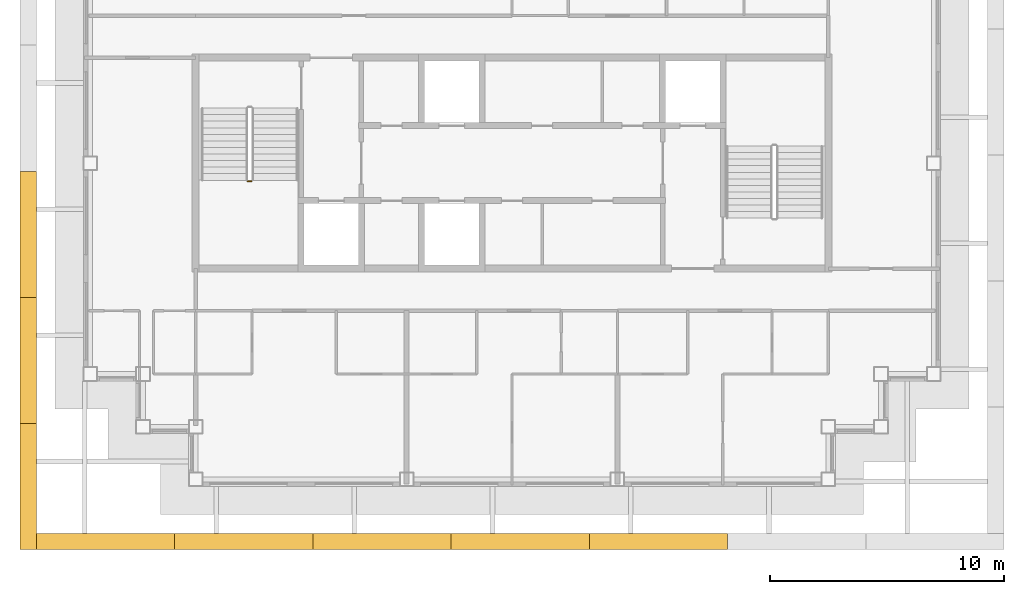
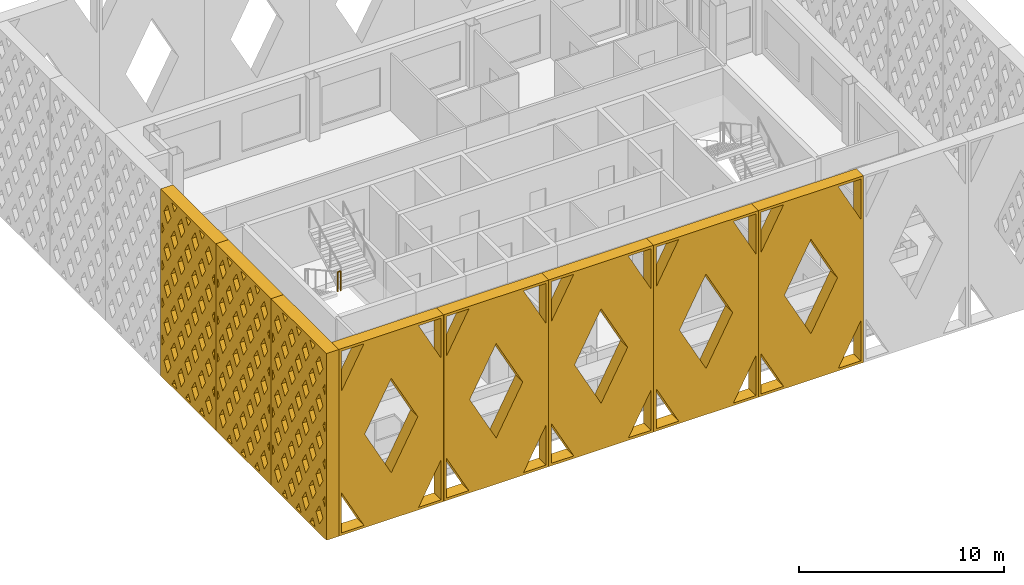
# One storey, part 9 of 13: 8 shading devices, 1 railing.
"""IFC4 building model written with IfcOpenShell, lengths in metres."""

from ifc_helpers import new_model, si_unit, direction, frame, origin, origin_2d, place, context, subcontext, project, spatial, polyline, circle, outline, extrude, material, type_object, element, save


model = new_model("IFC4")

# Units and contexts
model_context = context("Model", 3, precision=1e-05, world=origin(), true_north=direction((0.0, 1.0)))
body_context = subcontext(model_context, "Body", "Model", "MODEL_VIEW")
ifc_project = project(units=[si_unit("LENGTHUNIT", "METRE"), si_unit("AREAUNIT", "SQUARE_METRE"), si_unit("VOLUMEUNIT", "CUBIC_METRE"), si_unit("PLANEANGLEUNIT", "RADIAN"), si_unit("MASSUNIT", "GRAM", prefix="KILO")], contexts=[model_context])

# Site, building, storey
site_placement = place(None, origin())
site = spatial("IfcSite", under=ifc_project, at=site_placement, CompositionType="ELEMENT")
building_placement = place(site_placement, origin())
building = spatial("IfcBuilding", under=site, at=building_placement, Name="Caravel Reach Hotel and Residences", CompositionType="ELEMENT")
storey_placement = place(building_placement, frame((0.0, 0.0, 294.5)))
storey = spatial("IfcBuildingStorey", under=building, at=storey_placement, Name="L75", CompositionType="ELEMENT", Elevation=294.5)

# Shading devices
ifc_material_1 = material(Name="Black powder-coated aluminium", Category="aluminium")
shading_device_type_1 = type_object("IfcShadingDeviceType", Name="Diamond lattice screen panel 5383 x 11100", PredefinedType="USERDEFINED", material=ifc_material_1)
shading_device_1_placement = place(storey_placement, frame((11.199951171875, 26.64990234375, 0.0), z_axis=(-1.0, 0.0, 0.0), x_axis=(0.0, -1.0, 0.0)))
element("IfcShadingDevice", 1, at=shading_device_1_placement, inside=storey, type_object=shading_device_type_1, Name="Lattice screen L75-L77 3.4", ObjectType="SCREEN", PredefinedType="USERDEFINED", context=body_context, shape_type="SweptSolid", body=[
    extrude(outline(polyline([(0.0, 0.0), (5.38330078125, 0.0), (5.38330078125, 11.10009765625), (0.0, 11.10009765625), (0.0, 0.0)]), holes=[polyline([(0.338134765625, 2.219970703125), (0.14990234375, 2.530517578125), (0.14990234375, 1.90966796875), (0.338134765625, 2.219970703125)]), polyline([(0.338134765625, 4.43994140625), (0.14990234375, 4.75048828125), (0.14990234375, 4.129638671875), (0.338134765625, 4.43994140625)]), polyline([(0.338134765625, 6.659912109375), (0.14990234375, 6.970458984375), (0.14990234375, 6.349609375), (0.338134765625, 6.659912109375)]), polyline([(0.338134765625, 8.8798828125), (0.14990234375, 9.1904296875), (0.14990234375, 8.569580078125), (0.338134765625, 8.8798828125)]), polyline([(0.6728515625, 1.667724609375), (0.334716796875, 1.110107421875), (0.6728515625, 0.55224609375), (1.010986328125, 1.110107421875), (0.6728515625, 1.667724609375)]), polyline([(0.6728515625, 3.887939453125), (0.334716796875, 3.330078125), (0.6728515625, 2.772216796875), (1.010986328125, 3.330078125), (0.6728515625, 3.887939453125)]), polyline([(0.6728515625, 6.10791015625), (0.334716796875, 5.550048828125), (0.6728515625, 4.9921875), (1.010986328125, 5.550048828125), (0.6728515625, 6.10791015625)]), polyline([(0.6728515625, 8.327880859375), (0.334716796875, 7.77001953125), (0.6728515625, 7.212158203125), (1.010986328125, 7.77001953125), (0.6728515625, 8.327880859375)]), polyline([(0.6728515625, 10.5478515625), (0.334716796875, 9.989990234375), (0.6728515625, 9.43212890625), (1.010986328125, 9.989990234375), (0.6728515625, 10.5478515625)]), polyline([(1.345947265625, 0.557861328125), (1.0986328125, 0.14990234375), (1.593017578125, 0.14990234375), (1.345947265625, 0.557861328125)]), polyline([(1.345947265625, 2.77783203125), (1.007568359375, 2.219970703125), (1.345947265625, 1.662109375), (1.68408203125, 2.219970703125), (1.345947265625, 2.77783203125)]), polyline([(1.345947265625, 4.997802734375), (1.007568359375, 4.43994140625), (1.345947265625, 3.882080078125), (1.68408203125, 4.43994140625), (1.345947265625, 4.997802734375)]), polyline([(1.345947265625, 7.2177734375), (1.007568359375, 6.659912109375), (1.345947265625, 6.10205078125), (1.68408203125, 6.659912109375), (1.345947265625, 7.2177734375)]), polyline([(1.345947265625, 9.437744140625), (1.007568359375, 8.8798828125), (1.345947265625, 8.322265625), (1.68408203125, 8.8798828125), (1.345947265625, 9.437744140625)]), polyline([(1.345947265625, 10.542236328125), (1.593017578125, 10.949951171875), (1.0986328125, 10.949951171875), (1.345947265625, 10.542236328125)]), polyline([(2.018798828125, 1.667724609375), (1.6806640625, 1.110107421875), (2.018798828125, 0.55224609375), (2.35693359375, 1.110107421875), (2.018798828125, 1.667724609375)]), polyline([(2.018798828125, 3.887939453125), (1.6806640625, 3.330078125), (2.018798828125, 2.772216796875), (2.35693359375, 3.330078125), (2.018798828125, 3.887939453125)]), polyline([(2.018798828125, 6.10791015625), (1.6806640625, 5.550048828125), (2.018798828125, 4.9921875), (2.35693359375, 5.550048828125), (2.018798828125, 6.10791015625)]), polyline([(2.018798828125, 8.327880859375), (1.6806640625, 7.77001953125), (2.018798828125, 7.212158203125), (2.35693359375, 7.77001953125), (2.018798828125, 8.327880859375)]), polyline([(2.018798828125, 10.5478515625), (1.6806640625, 9.989990234375), (2.018798828125, 9.43212890625), (2.35693359375, 9.989990234375), (2.018798828125, 10.5478515625)]), polyline([(2.691650390625, 0.557861328125), (2.4443359375, 0.14990234375), (2.93896484375, 0.14990234375), (2.691650390625, 0.557861328125)]), polyline([(2.691650390625, 2.77783203125), (2.353515625, 2.219970703125), (2.691650390625, 1.662109375), (3.02978515625, 2.219970703125), (2.691650390625, 2.77783203125)]), polyline([(2.691650390625, 4.997802734375), (2.353515625, 4.43994140625), (2.691650390625, 3.882080078125), (3.02978515625, 4.43994140625), (2.691650390625, 4.997802734375)]), polyline([(2.691650390625, 7.2177734375), (2.353515625, 6.659912109375), (2.691650390625, 6.10205078125), (3.02978515625, 6.659912109375), (2.691650390625, 7.2177734375)]), polyline([(2.691650390625, 9.437744140625), (2.353515625, 8.8798828125), (2.691650390625, 8.322265625), (3.02978515625, 8.8798828125), (2.691650390625, 9.437744140625)]), polyline([(2.691650390625, 10.542236328125), (2.93896484375, 10.949951171875), (2.4443359375, 10.949951171875), (2.691650390625, 10.542236328125)]), polyline([(3.364501953125, 1.667724609375), (3.0263671875, 1.110107421875), (3.364501953125, 0.55224609375), (3.702880859375, 1.110107421875), (3.364501953125, 1.667724609375)]), polyline([(3.364501953125, 3.887939453125), (3.0263671875, 3.330078125), (3.364501953125, 2.772216796875), (3.702880859375, 3.330078125), (3.364501953125, 3.887939453125)]), polyline([(3.364501953125, 6.10791015625), (3.0263671875, 5.550048828125), (3.364501953125, 4.9921875), (3.702880859375, 5.550048828125), (3.364501953125, 6.10791015625)]), polyline([(3.364501953125, 8.327880859375), (3.0263671875, 7.77001953125), (3.364501953125, 7.212158203125), (3.702880859375, 7.77001953125), (3.364501953125, 8.327880859375)]), polyline([(3.364501953125, 10.5478515625), (3.0263671875, 9.989990234375), (3.364501953125, 9.43212890625), (3.702880859375, 9.989990234375), (3.364501953125, 10.5478515625)]), polyline([(4.03759765625, 0.557861328125), (3.790283203125, 0.14990234375), (4.28466796875, 0.14990234375), (4.03759765625, 0.557861328125)]), polyline([(4.03759765625, 2.77783203125), (3.69921875, 2.219970703125), (4.03759765625, 1.662109375), (4.375732421875, 2.219970703125), (4.03759765625, 2.77783203125)]), polyline([(4.03759765625, 4.997802734375), (3.69921875, 4.43994140625), (4.03759765625, 3.882080078125), (4.375732421875, 4.43994140625), (4.03759765625, 4.997802734375)]), polyline([(4.03759765625, 7.2177734375), (3.69921875, 6.659912109375), (4.03759765625, 6.10205078125), (4.375732421875, 6.659912109375), (4.03759765625, 7.2177734375)]), polyline([(4.03759765625, 9.437744140625), (3.69921875, 8.8798828125), (4.03759765625, 8.322265625), (4.375732421875, 8.8798828125), (4.03759765625, 9.437744140625)]), polyline([(4.03759765625, 10.542236328125), (4.28466796875, 10.949951171875), (3.790283203125, 10.949951171875), (4.03759765625, 10.542236328125)]), polyline([(4.71044921875, 1.667724609375), (4.372314453125, 1.110107421875), (4.71044921875, 0.55224609375), (5.048583984375, 1.110107421875), (4.71044921875, 1.667724609375)]), polyline([(4.71044921875, 3.887939453125), (4.372314453125, 3.330078125), (4.71044921875, 2.772216796875), (5.048583984375, 3.330078125), (4.71044921875, 3.887939453125)]), polyline([(4.71044921875, 6.10791015625), (4.372314453125, 5.550048828125), (4.71044921875, 4.9921875), (5.048583984375, 5.550048828125), (4.71044921875, 6.10791015625)]), polyline([(4.71044921875, 8.327880859375), (4.372314453125, 7.77001953125), (4.71044921875, 7.212158203125), (5.048583984375, 7.77001953125), (4.71044921875, 8.327880859375)]), polyline([(4.71044921875, 10.5478515625), (4.372314453125, 9.989990234375), (4.71044921875, 9.43212890625), (5.048583984375, 9.989990234375), (4.71044921875, 10.5478515625)]), polyline([(5.045166015625, 2.219970703125), (5.2333984375, 1.90966796875), (5.2333984375, 2.530517578125), (5.045166015625, 2.219970703125)]), polyline([(5.045166015625, 4.43994140625), (5.2333984375, 4.129638671875), (5.2333984375, 4.75048828125), (5.045166015625, 4.43994140625)]), polyline([(5.045166015625, 6.659912109375), (5.2333984375, 6.349609375), (5.2333984375, 6.970458984375), (5.045166015625, 6.659912109375)]), polyline([(5.045166015625, 8.8798828125), (5.2333984375, 8.569580078125), (5.2333984375, 9.1904296875), (5.045166015625, 8.8798828125)])]), origin(), (0.0, 0.0, 1.0), 0.699951171875),
])
shading_device_2_placement = place(storey_placement, frame((11.199951171875, 21.2666015625, 0.0), z_axis=(-1.0, 0.0, 0.0), x_axis=(0.0, -1.0, 0.0)))
element("IfcShadingDevice", 2, at=shading_device_2_placement, inside=storey, type_object=shading_device_type_1, Name="Lattice screen L75-L77 3.5", ObjectType="SCREEN", PredefinedType="USERDEFINED", context=body_context, shape_type="SweptSolid", body=[
    extrude(outline(polyline([(0.0, 0.0), (5.38330078125, 0.0), (5.38330078125, 11.10009765625), (0.0, 11.10009765625), (0.0, 0.0)]), holes=[polyline([(0.338134765625, 2.219970703125), (0.14990234375, 2.530517578125), (0.14990234375, 1.90966796875), (0.338134765625, 2.219970703125)]), polyline([(0.338134765625, 4.43994140625), (0.14990234375, 4.75048828125), (0.14990234375, 4.129638671875), (0.338134765625, 4.43994140625)]), polyline([(0.338134765625, 6.659912109375), (0.14990234375, 6.970458984375), (0.14990234375, 6.349609375), (0.338134765625, 6.659912109375)]), polyline([(0.338134765625, 8.8798828125), (0.14990234375, 9.1904296875), (0.14990234375, 8.569580078125), (0.338134765625, 8.8798828125)]), polyline([(0.6728515625, 1.667724609375), (0.334716796875, 1.110107421875), (0.6728515625, 0.55224609375), (1.010986328125, 1.110107421875), (0.6728515625, 1.667724609375)]), polyline([(0.6728515625, 3.887939453125), (0.334716796875, 3.330078125), (0.6728515625, 2.772216796875), (1.010986328125, 3.330078125), (0.6728515625, 3.887939453125)]), polyline([(0.6728515625, 6.10791015625), (0.334716796875, 5.550048828125), (0.6728515625, 4.9921875), (1.010986328125, 5.550048828125), (0.6728515625, 6.10791015625)]), polyline([(0.6728515625, 8.327880859375), (0.334716796875, 7.77001953125), (0.6728515625, 7.212158203125), (1.010986328125, 7.77001953125), (0.6728515625, 8.327880859375)]), polyline([(0.6728515625, 10.5478515625), (0.334716796875, 9.989990234375), (0.6728515625, 9.43212890625), (1.010986328125, 9.989990234375), (0.6728515625, 10.5478515625)]), polyline([(1.345947265625, 0.557861328125), (1.0986328125, 0.14990234375), (1.593017578125, 0.14990234375), (1.345947265625, 0.557861328125)]), polyline([(1.345947265625, 2.77783203125), (1.007568359375, 2.219970703125), (1.345947265625, 1.662109375), (1.68408203125, 2.219970703125), (1.345947265625, 2.77783203125)]), polyline([(1.345947265625, 4.997802734375), (1.007568359375, 4.43994140625), (1.345947265625, 3.882080078125), (1.68408203125, 4.43994140625), (1.345947265625, 4.997802734375)]), polyline([(1.345947265625, 7.2177734375), (1.007568359375, 6.659912109375), (1.345947265625, 6.10205078125), (1.68408203125, 6.659912109375), (1.345947265625, 7.2177734375)]), polyline([(1.345947265625, 9.437744140625), (1.007568359375, 8.8798828125), (1.345947265625, 8.322265625), (1.68408203125, 8.8798828125), (1.345947265625, 9.437744140625)]), polyline([(1.345947265625, 10.542236328125), (1.593017578125, 10.949951171875), (1.0986328125, 10.949951171875), (1.345947265625, 10.542236328125)]), polyline([(2.018798828125, 1.667724609375), (1.6806640625, 1.110107421875), (2.018798828125, 0.55224609375), (2.35693359375, 1.110107421875), (2.018798828125, 1.667724609375)]), polyline([(2.018798828125, 3.887939453125), (1.6806640625, 3.330078125), (2.018798828125, 2.772216796875), (2.35693359375, 3.330078125), (2.018798828125, 3.887939453125)]), polyline([(2.018798828125, 6.10791015625), (1.6806640625, 5.550048828125), (2.018798828125, 4.9921875), (2.35693359375, 5.550048828125), (2.018798828125, 6.10791015625)]), polyline([(2.018798828125, 8.327880859375), (1.6806640625, 7.77001953125), (2.018798828125, 7.212158203125), (2.35693359375, 7.77001953125), (2.018798828125, 8.327880859375)]), polyline([(2.018798828125, 10.5478515625), (1.6806640625, 9.989990234375), (2.018798828125, 9.43212890625), (2.35693359375, 9.989990234375), (2.018798828125, 10.5478515625)]), polyline([(2.691650390625, 0.557861328125), (2.4443359375, 0.14990234375), (2.93896484375, 0.14990234375), (2.691650390625, 0.557861328125)]), polyline([(2.691650390625, 2.77783203125), (2.353515625, 2.219970703125), (2.691650390625, 1.662109375), (3.02978515625, 2.219970703125), (2.691650390625, 2.77783203125)]), polyline([(2.691650390625, 4.997802734375), (2.353515625, 4.43994140625), (2.691650390625, 3.882080078125), (3.02978515625, 4.43994140625), (2.691650390625, 4.997802734375)]), polyline([(2.691650390625, 7.2177734375), (2.353515625, 6.659912109375), (2.691650390625, 6.10205078125), (3.02978515625, 6.659912109375), (2.691650390625, 7.2177734375)]), polyline([(2.691650390625, 9.437744140625), (2.353515625, 8.8798828125), (2.691650390625, 8.322265625), (3.02978515625, 8.8798828125), (2.691650390625, 9.437744140625)]), polyline([(2.691650390625, 10.542236328125), (2.93896484375, 10.949951171875), (2.4443359375, 10.949951171875), (2.691650390625, 10.542236328125)]), polyline([(3.364501953125, 1.667724609375), (3.0263671875, 1.110107421875), (3.364501953125, 0.55224609375), (3.702880859375, 1.110107421875), (3.364501953125, 1.667724609375)]), polyline([(3.364501953125, 3.887939453125), (3.0263671875, 3.330078125), (3.364501953125, 2.772216796875), (3.702880859375, 3.330078125), (3.364501953125, 3.887939453125)]), polyline([(3.364501953125, 6.10791015625), (3.0263671875, 5.550048828125), (3.364501953125, 4.9921875), (3.702880859375, 5.550048828125), (3.364501953125, 6.10791015625)]), polyline([(3.364501953125, 8.327880859375), (3.0263671875, 7.77001953125), (3.364501953125, 7.212158203125), (3.702880859375, 7.77001953125), (3.364501953125, 8.327880859375)]), polyline([(3.364501953125, 10.5478515625), (3.0263671875, 9.989990234375), (3.364501953125, 9.43212890625), (3.702880859375, 9.989990234375), (3.364501953125, 10.5478515625)]), polyline([(4.03759765625, 0.557861328125), (3.790283203125, 0.14990234375), (4.28466796875, 0.14990234375), (4.03759765625, 0.557861328125)]), polyline([(4.03759765625, 2.77783203125), (3.69921875, 2.219970703125), (4.03759765625, 1.662109375), (4.375732421875, 2.219970703125), (4.03759765625, 2.77783203125)]), polyline([(4.03759765625, 4.997802734375), (3.69921875, 4.43994140625), (4.03759765625, 3.882080078125), (4.375732421875, 4.43994140625), (4.03759765625, 4.997802734375)]), polyline([(4.03759765625, 7.2177734375), (3.69921875, 6.659912109375), (4.03759765625, 6.10205078125), (4.375732421875, 6.659912109375), (4.03759765625, 7.2177734375)]), polyline([(4.03759765625, 9.437744140625), (3.69921875, 8.8798828125), (4.03759765625, 8.322265625), (4.375732421875, 8.8798828125), (4.03759765625, 9.437744140625)]), polyline([(4.03759765625, 10.542236328125), (4.28466796875, 10.949951171875), (3.790283203125, 10.949951171875), (4.03759765625, 10.542236328125)]), polyline([(4.71044921875, 1.667724609375), (4.372314453125, 1.110107421875), (4.71044921875, 0.55224609375), (5.048583984375, 1.110107421875), (4.71044921875, 1.667724609375)]), polyline([(4.71044921875, 3.887939453125), (4.372314453125, 3.330078125), (4.71044921875, 2.772216796875), (5.048583984375, 3.330078125), (4.71044921875, 3.887939453125)]), polyline([(4.71044921875, 6.10791015625), (4.372314453125, 5.550048828125), (4.71044921875, 4.9921875), (5.048583984375, 5.550048828125), (4.71044921875, 6.10791015625)]), polyline([(4.71044921875, 8.327880859375), (4.372314453125, 7.77001953125), (4.71044921875, 7.212158203125), (5.048583984375, 7.77001953125), (4.71044921875, 8.327880859375)]), polyline([(4.71044921875, 10.5478515625), (4.372314453125, 9.989990234375), (4.71044921875, 9.43212890625), (5.048583984375, 9.989990234375), (4.71044921875, 10.5478515625)]), polyline([(5.045166015625, 2.219970703125), (5.2333984375, 1.90966796875), (5.2333984375, 2.530517578125), (5.045166015625, 2.219970703125)]), polyline([(5.045166015625, 4.43994140625), (5.2333984375, 4.129638671875), (5.2333984375, 4.75048828125), (5.045166015625, 4.43994140625)]), polyline([(5.045166015625, 6.659912109375), (5.2333984375, 6.349609375), (5.2333984375, 6.970458984375), (5.045166015625, 6.659912109375)]), polyline([(5.045166015625, 8.8798828125), (5.2333984375, 8.569580078125), (5.2333984375, 9.1904296875), (5.045166015625, 8.8798828125)])]), origin(), (0.0, 0.0, 1.0), 0.699951171875),
])
shading_device_3_placement = place(storey_placement, frame((11.199951171875, 15.88330078125, 0.0), z_axis=(-1.0, 0.0, 0.0), x_axis=(0.0, -1.0, 0.0)))
element("IfcShadingDevice", 3, at=shading_device_3_placement, inside=storey, type_object=shading_device_type_1, Name="Lattice screen L75-L77 3.6", ObjectType="SCREEN", PredefinedType="USERDEFINED", context=body_context, shape_type="SweptSolid", body=[
    extrude(outline(polyline([(0.0, 0.0), (5.38330078125, 0.0), (5.38330078125, 11.10009765625), (0.0, 11.10009765625), (0.0, 0.0)]), holes=[polyline([(0.338134765625, 2.219970703125), (0.14990234375, 2.530517578125), (0.14990234375, 1.90966796875), (0.338134765625, 2.219970703125)]), polyline([(0.338134765625, 4.43994140625), (0.14990234375, 4.75048828125), (0.14990234375, 4.129638671875), (0.338134765625, 4.43994140625)]), polyline([(0.338134765625, 6.659912109375), (0.14990234375, 6.970458984375), (0.14990234375, 6.349609375), (0.338134765625, 6.659912109375)]), polyline([(0.338134765625, 8.8798828125), (0.14990234375, 9.1904296875), (0.14990234375, 8.569580078125), (0.338134765625, 8.8798828125)]), polyline([(0.6728515625, 1.667724609375), (0.334716796875, 1.110107421875), (0.6728515625, 0.55224609375), (1.010986328125, 1.110107421875), (0.6728515625, 1.667724609375)]), polyline([(0.6728515625, 3.887939453125), (0.334716796875, 3.330078125), (0.6728515625, 2.772216796875), (1.010986328125, 3.330078125), (0.6728515625, 3.887939453125)]), polyline([(0.6728515625, 6.10791015625), (0.334716796875, 5.550048828125), (0.6728515625, 4.9921875), (1.010986328125, 5.550048828125), (0.6728515625, 6.10791015625)]), polyline([(0.6728515625, 8.327880859375), (0.334716796875, 7.77001953125), (0.6728515625, 7.212158203125), (1.010986328125, 7.77001953125), (0.6728515625, 8.327880859375)]), polyline([(0.6728515625, 10.5478515625), (0.334716796875, 9.989990234375), (0.6728515625, 9.43212890625), (1.010986328125, 9.989990234375), (0.6728515625, 10.5478515625)]), polyline([(1.345947265625, 0.557861328125), (1.0986328125, 0.14990234375), (1.593017578125, 0.14990234375), (1.345947265625, 0.557861328125)]), polyline([(1.345947265625, 2.77783203125), (1.007568359375, 2.219970703125), (1.345947265625, 1.662109375), (1.68408203125, 2.219970703125), (1.345947265625, 2.77783203125)]), polyline([(1.345947265625, 4.997802734375), (1.007568359375, 4.43994140625), (1.345947265625, 3.882080078125), (1.68408203125, 4.43994140625), (1.345947265625, 4.997802734375)]), polyline([(1.345947265625, 7.2177734375), (1.007568359375, 6.659912109375), (1.345947265625, 6.10205078125), (1.68408203125, 6.659912109375), (1.345947265625, 7.2177734375)]), polyline([(1.345947265625, 9.437744140625), (1.007568359375, 8.8798828125), (1.345947265625, 8.322265625), (1.68408203125, 8.8798828125), (1.345947265625, 9.437744140625)]), polyline([(1.345947265625, 10.542236328125), (1.593017578125, 10.949951171875), (1.0986328125, 10.949951171875), (1.345947265625, 10.542236328125)]), polyline([(2.018798828125, 1.667724609375), (1.6806640625, 1.110107421875), (2.018798828125, 0.55224609375), (2.35693359375, 1.110107421875), (2.018798828125, 1.667724609375)]), polyline([(2.018798828125, 3.887939453125), (1.6806640625, 3.330078125), (2.018798828125, 2.772216796875), (2.35693359375, 3.330078125), (2.018798828125, 3.887939453125)]), polyline([(2.018798828125, 6.10791015625), (1.6806640625, 5.550048828125), (2.018798828125, 4.9921875), (2.35693359375, 5.550048828125), (2.018798828125, 6.10791015625)]), polyline([(2.018798828125, 8.327880859375), (1.6806640625, 7.77001953125), (2.018798828125, 7.212158203125), (2.35693359375, 7.77001953125), (2.018798828125, 8.327880859375)]), polyline([(2.018798828125, 10.5478515625), (1.6806640625, 9.989990234375), (2.018798828125, 9.43212890625), (2.35693359375, 9.989990234375), (2.018798828125, 10.5478515625)]), polyline([(2.691650390625, 0.557861328125), (2.4443359375, 0.14990234375), (2.93896484375, 0.14990234375), (2.691650390625, 0.557861328125)]), polyline([(2.691650390625, 2.77783203125), (2.353515625, 2.219970703125), (2.691650390625, 1.662109375), (3.02978515625, 2.219970703125), (2.691650390625, 2.77783203125)]), polyline([(2.691650390625, 4.997802734375), (2.353515625, 4.43994140625), (2.691650390625, 3.882080078125), (3.02978515625, 4.43994140625), (2.691650390625, 4.997802734375)]), polyline([(2.691650390625, 7.2177734375), (2.353515625, 6.659912109375), (2.691650390625, 6.10205078125), (3.02978515625, 6.659912109375), (2.691650390625, 7.2177734375)]), polyline([(2.691650390625, 9.437744140625), (2.353515625, 8.8798828125), (2.691650390625, 8.322265625), (3.02978515625, 8.8798828125), (2.691650390625, 9.437744140625)]), polyline([(2.691650390625, 10.542236328125), (2.93896484375, 10.949951171875), (2.4443359375, 10.949951171875), (2.691650390625, 10.542236328125)]), polyline([(3.364501953125, 1.667724609375), (3.0263671875, 1.110107421875), (3.364501953125, 0.55224609375), (3.702880859375, 1.110107421875), (3.364501953125, 1.667724609375)]), polyline([(3.364501953125, 3.887939453125), (3.0263671875, 3.330078125), (3.364501953125, 2.772216796875), (3.702880859375, 3.330078125), (3.364501953125, 3.887939453125)]), polyline([(3.364501953125, 6.10791015625), (3.0263671875, 5.550048828125), (3.364501953125, 4.9921875), (3.702880859375, 5.550048828125), (3.364501953125, 6.10791015625)]), polyline([(3.364501953125, 8.327880859375), (3.0263671875, 7.77001953125), (3.364501953125, 7.212158203125), (3.702880859375, 7.77001953125), (3.364501953125, 8.327880859375)]), polyline([(3.364501953125, 10.5478515625), (3.0263671875, 9.989990234375), (3.364501953125, 9.43212890625), (3.702880859375, 9.989990234375), (3.364501953125, 10.5478515625)]), polyline([(4.03759765625, 0.557861328125), (3.790283203125, 0.14990234375), (4.28466796875, 0.14990234375), (4.03759765625, 0.557861328125)]), polyline([(4.03759765625, 2.77783203125), (3.69921875, 2.219970703125), (4.03759765625, 1.662109375), (4.375732421875, 2.219970703125), (4.03759765625, 2.77783203125)]), polyline([(4.03759765625, 4.997802734375), (3.69921875, 4.43994140625), (4.03759765625, 3.882080078125), (4.375732421875, 4.43994140625), (4.03759765625, 4.997802734375)]), polyline([(4.03759765625, 7.2177734375), (3.69921875, 6.659912109375), (4.03759765625, 6.10205078125), (4.375732421875, 6.659912109375), (4.03759765625, 7.2177734375)]), polyline([(4.03759765625, 9.437744140625), (3.69921875, 8.8798828125), (4.03759765625, 8.322265625), (4.375732421875, 8.8798828125), (4.03759765625, 9.437744140625)]), polyline([(4.03759765625, 10.542236328125), (4.28466796875, 10.949951171875), (3.790283203125, 10.949951171875), (4.03759765625, 10.542236328125)]), polyline([(4.71044921875, 1.667724609375), (4.372314453125, 1.110107421875), (4.71044921875, 0.55224609375), (5.048583984375, 1.110107421875), (4.71044921875, 1.667724609375)]), polyline([(4.71044921875, 3.887939453125), (4.372314453125, 3.330078125), (4.71044921875, 2.772216796875), (5.048583984375, 3.330078125), (4.71044921875, 3.887939453125)]), polyline([(4.71044921875, 6.10791015625), (4.372314453125, 5.550048828125), (4.71044921875, 4.9921875), (5.048583984375, 5.550048828125), (4.71044921875, 6.10791015625)]), polyline([(4.71044921875, 8.327880859375), (4.372314453125, 7.77001953125), (4.71044921875, 7.212158203125), (5.048583984375, 7.77001953125), (4.71044921875, 8.327880859375)]), polyline([(4.71044921875, 10.5478515625), (4.372314453125, 9.989990234375), (4.71044921875, 9.43212890625), (5.048583984375, 9.989990234375), (4.71044921875, 10.5478515625)]), polyline([(5.045166015625, 2.219970703125), (5.2333984375, 1.90966796875), (5.2333984375, 2.530517578125), (5.045166015625, 2.219970703125)]), polyline([(5.045166015625, 4.43994140625), (5.2333984375, 4.129638671875), (5.2333984375, 4.75048828125), (5.045166015625, 4.43994140625)]), polyline([(5.045166015625, 6.659912109375), (5.2333984375, 6.349609375), (5.2333984375, 6.970458984375), (5.045166015625, 6.659912109375)]), polyline([(5.045166015625, 8.8798828125), (5.2333984375, 8.569580078125), (5.2333984375, 9.1904296875), (5.045166015625, 8.8798828125)])]), origin(), (0.0, 0.0, 1.0), 0.699951171875),
])
ifc_material_2 = material(Name="Black powder-coated aluminium", Category="aluminium")
shading_device_type_2 = type_object("IfcShadingDeviceType", Name="Diamond lattice screen panel 5900 x 11100", PredefinedType="USERDEFINED", material=ifc_material_2)
for number, where, z_axis, x_axis, name in (
    (4, (11.199951171875, 11.199951171875, 0.0), (0.0, -1.0, 0.0), (1.0, 0.0, 0.0), "Lattice screen L75-L77 4.1"),
    (5, (17.10009765625, 11.199951171875, 0.0), (0.0, -1.0, 0.0), (1.0, 0.0, 0.0), "Lattice screen L75-L77 4.2"),
    (6, (23.0, 11.199951171875, 0.0), (0.0, -1.0, 0.0), (1.0, 0.0, 0.0), "Lattice screen L75-L77 4.3"),
    (7, (28.89990234375, 11.199951171875, 0.0), (0.0, -1.0, 0.0), (1.0, 0.0, 0.0), "Lattice screen L75-L77 4.4"),
    (8, (34.800048828125, 11.199951171875, 0.0), (0.0, -1.0, 0.0), (1.0, 0.0, 0.0), "Lattice screen L75-L77 4.5"),
):
    element("IfcShadingDevice", number, at=place(storey_placement, frame(where, z_axis=z_axis, x_axis=x_axis)), inside=storey, type_object=shading_device_type_2, Name=name, ObjectType="SCREEN", PredefinedType="USERDEFINED", context=body_context, shape_type="SweptSolid", body=[
        extrude(outline(polyline([(0.0, 0.0), (5.89990234375, 0.0), (5.89990234375, 11.10009765625), (0.0, 11.10009765625), (0.0, 0.0)]), holes=[polyline([(1.4140625, 0.14990234375), (0.14990234375, 2.528076171875), (0.14990234375, 0.14990234375), (1.4140625, 0.14990234375)]), polyline([(0.14990234375, 8.572021484375), (1.4140625, 10.949951171875), (0.14990234375, 10.949951171875), (0.14990234375, 8.572021484375)]), polyline([(2.949951171875, 8.3603515625), (1.456298828125, 5.550048828125), (2.949951171875, 2.73974609375), (4.44384765625, 5.550048828125), (2.949951171875, 8.3603515625)]), polyline([(5.75, 2.528076171875), (4.486083984375, 0.14990234375), (5.75, 0.14990234375), (5.75, 2.528076171875)]), polyline([(4.486083984375, 10.949951171875), (5.75, 8.572021484375), (5.75, 10.949951171875), (4.486083984375, 10.949951171875)])]), origin(), (0.0, 0.0, 1.0), 0.699951171875),
    ])

# Railing
ifc_material_3 = material(Name="Steel balustrade with glass infill", Category="steel")
railing_type = type_object("IfcRailingType", Name="Guard 1200", PredefinedType="GUARDRAIL", material=ifc_material_3)
railing_placement = place(storey_placement, frame((20.22509765625, 26.219970703125, 1.85009765625)))
element("IfcRailing", 9, at=railing_placement, inside=storey, type_object=railing_type, Name="L75 ST-A stair guard 2", PredefinedType="GUARDRAIL", context=body_context, shape_type="SweptSolid", body=[
    extrude(circle(Radius=0.02392578125, at=origin_2d()), frame((0.0, 0.0, 1.17578125), z_axis=(1.0, 0.0, 0.0), x_axis=(0.0, 1.0, 0.0)), (0.0, 0.0, 1.0), 0.14990234375),
    extrude(circle(Radius=0.02099609375, at=origin_2d()), origin(), (0.0, 0.0, 1.0), 1.15185546875),
    extrude(circle(Radius=0.02099609375, at=origin_2d()), frame((0.14990234375, 0.0, 0.0)), (0.0, 0.0, 1.0), 1.15185546875),
])

save(model, "model.ifc")
